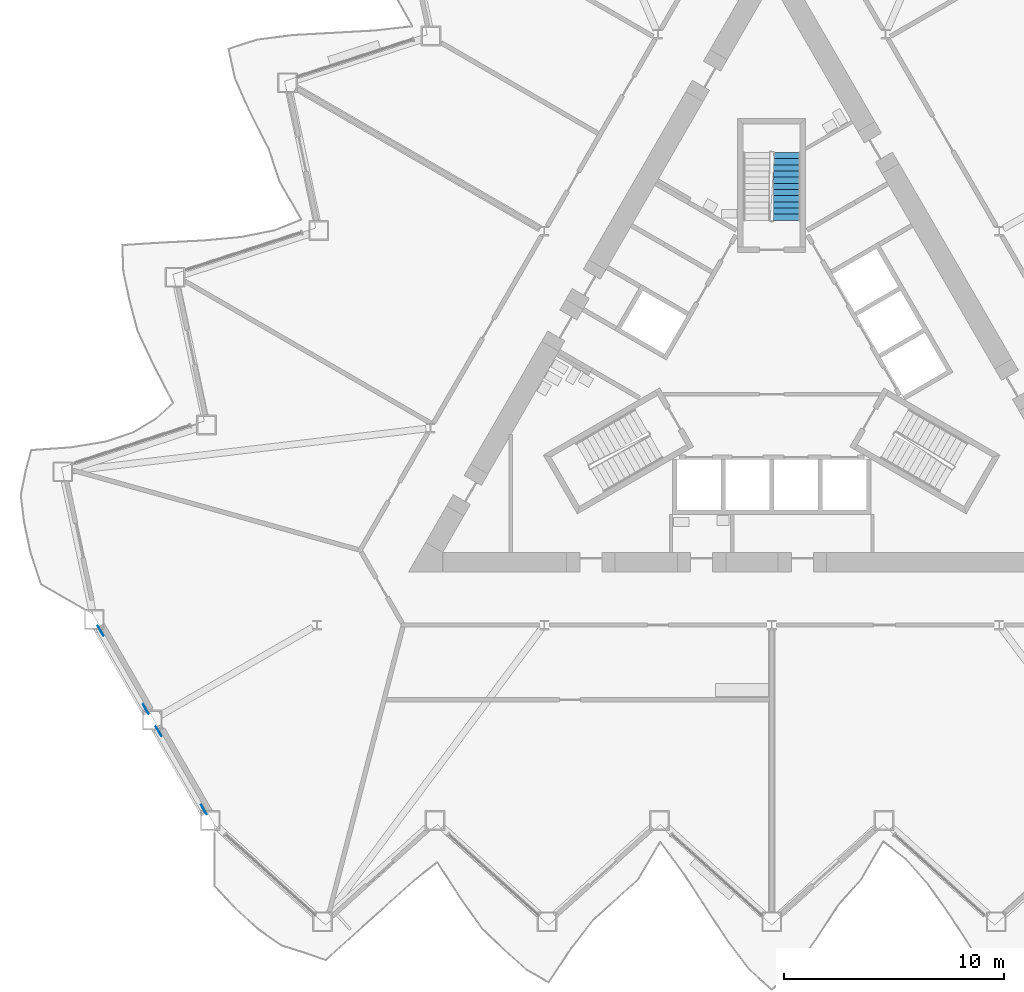
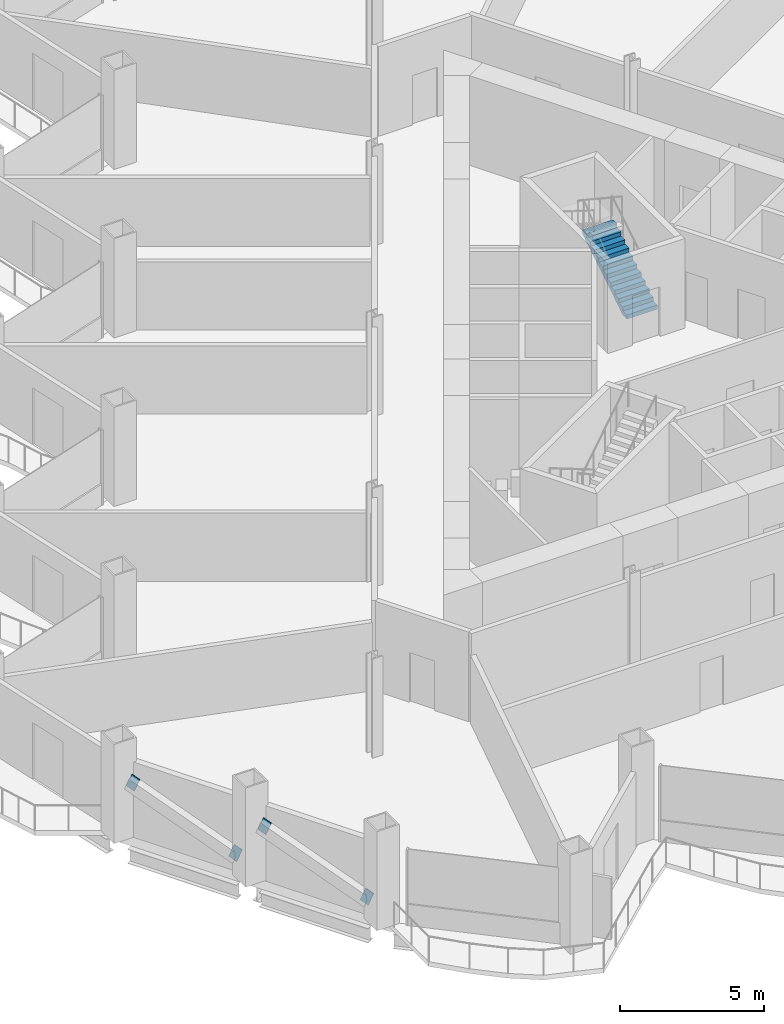
# One storey, part 14 of 21: 4 discrete accessories, 1 stair flight, 1 element without a shape of its own.
"""IFC4 building model written with IfcOpenShell, lengths in metres."""

from ifc_helpers import new_model, si_unit, direction, frame, origin, origin_2d, place, context, subcontext, project, spatial, polyline, rectangle, outline, extrude, material, material_profile, profile_set, type_object, element, aggregate, save


model = new_model("IFC4")

# Units and contexts
model_context = context("Model", 3, precision=1e-05, world=origin(), true_north=direction((0.0, 1.0)))
body_context = subcontext(model_context, "Body", "Model", "MODEL_VIEW")
ifc_project = project(units=[si_unit("LENGTHUNIT", "METRE"), si_unit("AREAUNIT", "SQUARE_METRE"), si_unit("VOLUMEUNIT", "CUBIC_METRE"), si_unit("PLANEANGLEUNIT", "RADIAN"), si_unit("MASSUNIT", "GRAM", prefix="KILO")], contexts=[model_context])

# Site, building, storey
site_placement = place(None, origin())
site = spatial("IfcSite", under=ifc_project, at=site_placement, CompositionType="ELEMENT")
building_placement = place(site_placement, origin())
building = spatial("IfcBuilding", under=site, at=building_placement, Name="Cormorant Prow Tower", CompositionType="ELEMENT")
storey_placement = place(building_placement, frame((0.0, 0.0, 137.39990234375)))
storey = spatial("IfcBuildingStorey", under=building, at=storey_placement, Name="L29", CompositionType="ELEMENT", Elevation=137.39990234375)

# Stair, stair flight
ifc_material_1 = material(Name="Exit stair 24 risers")
stair_type = type_object("IfcStairType", Name="Exit stair 24 risers", PredefinedType="HALF_TURN_STAIR", material=ifc_material_1)
stair_placement = place(storey_placement, origin())
stair = element("IfcStair", 1, at=stair_placement, inside=storey, type_object=stair_type, Name="L29 Exit stair ST3", PredefinedType="HALF_TURN_STAIR")
ifc_material_2 = material(Name="Concrete 5000 psi", Category="concrete")
stair_flight_type = type_object("IfcStairFlightType", Name="Stair flight 1219", PredefinedType="STRAIGHT", material=ifc_material_2)
stair_flight_placement = place(storey_placement, frame((0.6845703125, 6.455810546875, 0.0), z_axis=(0.0, 0.0, 1.0), x_axis=(0.0, 1.0, 0.0)))
stair_flight = element("IfcStairFlight", 2, at=stair_flight_placement, type_object=stair_flight_type, Name="ST3 flight 1", NumberOfRisers=12, NumberOfTreads=11, PredefinedType="STRAIGHT", RiserHeight=0.175, TreadLength=0.28, context=body_context, shape_type="SweptSolid", body=[
    extrude(outline(polyline([(0.0, 0.0), (0.0, 0.175048828125), (0.280029296875, 0.175048828125), (0.280029296875, 0.35009765625), (0.56005859375, 0.35009765625), (0.56005859375, 0.52490234375), (0.840087890625, 0.52490234375), (0.840087890625, 0.699951171875), (1.1201171875, 0.699951171875), (1.1201171875, 0.875), (1.39990234375, 0.875), (1.39990234375, 1.050048828125), (1.679931640625, 1.050048828125), (1.679931640625, 1.22509765625), (1.9599609375, 1.22509765625), (1.9599609375, 1.39990234375), (2.239990234375, 1.39990234375), (2.239990234375, 1.574951171875), (2.52001953125, 1.574951171875), (2.52001953125, 1.75), (2.800048828125, 1.75), (2.800048828125, 1.925048828125), (3.080078125, 1.925048828125), (3.080078125, 2.10009765625), (3.080078125, 1.748291015625), (0.28271484375, 0.0), (0.0, 0.0)])), frame((0.0, 0.609375, 0.0), z_axis=(0.0, -1.0, 0.0), x_axis=(1.0, 0.0, 0.0)), (0.0, 0.0, 1.0), 1.218994140625),
])
aggregate(stair, [stair_flight])

# Discrete accessories
ifc_material_3 = material(Name="Structural steel ASTM A500 Gr C", Category="steel")
ifc_material_profile = material_profile(ifc_material_3, rectangle(XDim=0.031982421875, YDim=0.60791015625, at=origin_2d()), Name="Gusset plate 32x608")
ifc_profile_set = profile_set([ifc_material_profile], Name="Structural steel ASTM A500 Gr C")
discrete_accessory_type = type_object("IfcDiscreteAccessoryType", Name="Gusset plate 32x608", PredefinedType="BRACKET", material=ifc_profile_set)
for number, where, z_axis, x_axis, name in (
    (3, (-28.5087890625, -15.59521484375, 0.882568359375), (0.467903125124, -0.810288273314, -0.352844979601), (0.865987003449, 0.500066505434, 0.0), "Gusset plate GP1 L29.WSW00.g0"),
    (4, (-30.39501953125, -12.328125, 2.306396484375), (-0.467787927946, 0.810088781331, 0.353455260013), (-0.865987003449, -0.500066505434, 0.0), "Gusset plate GP1 L29.WSW00.g1"),
    (5, (-25.8740234375, -20.158935546875, 0.882568359375), (0.467903125124, -0.810288273314, -0.352844979601), (0.865987003449, 0.500066505434, 0.0), "Gusset plate GP1 L29.WSW01.g0"),
    (6, (-27.76025390625, -16.8916015625, 2.306396484375), (-0.468052223063, 0.809848928429, 0.35365495841), (-0.865800459427, -0.500389412813, 0.0), "Gusset plate GP1 L29.WSW01.g1"),
):
    element("IfcDiscreteAccessory", number, at=place(storey_placement, frame(where, z_axis=z_axis, x_axis=x_axis)), inside=storey, type_object=discrete_accessory_type, Name=name, PredefinedType="BRACKET", context=body_context, shape_type="SweptSolid", body=[
        extrude(rectangle(XDim=0.031982421875, YDim=0.60791015625, at=origin_2d()), origin(), (0.0, 0.0, 1.0), 0.35009765625),
    ])

save(model, "model.ifc")
